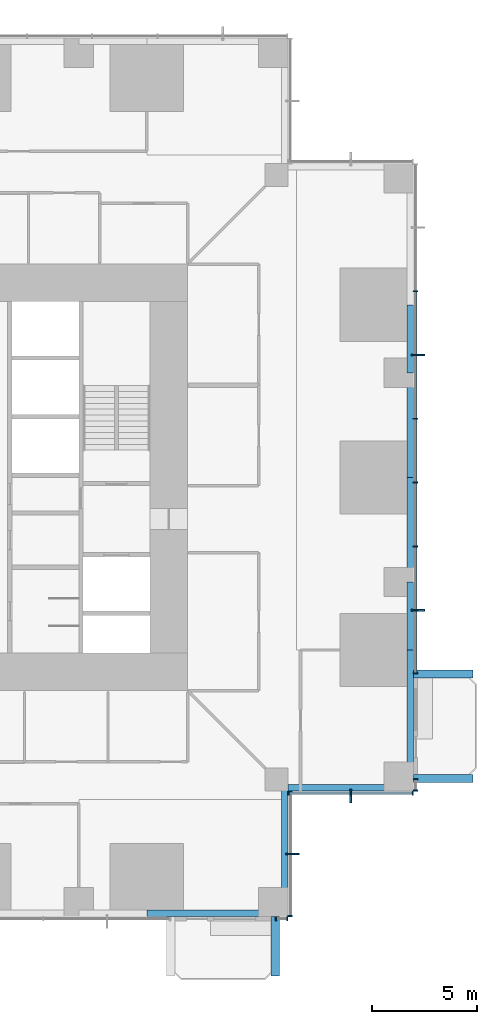
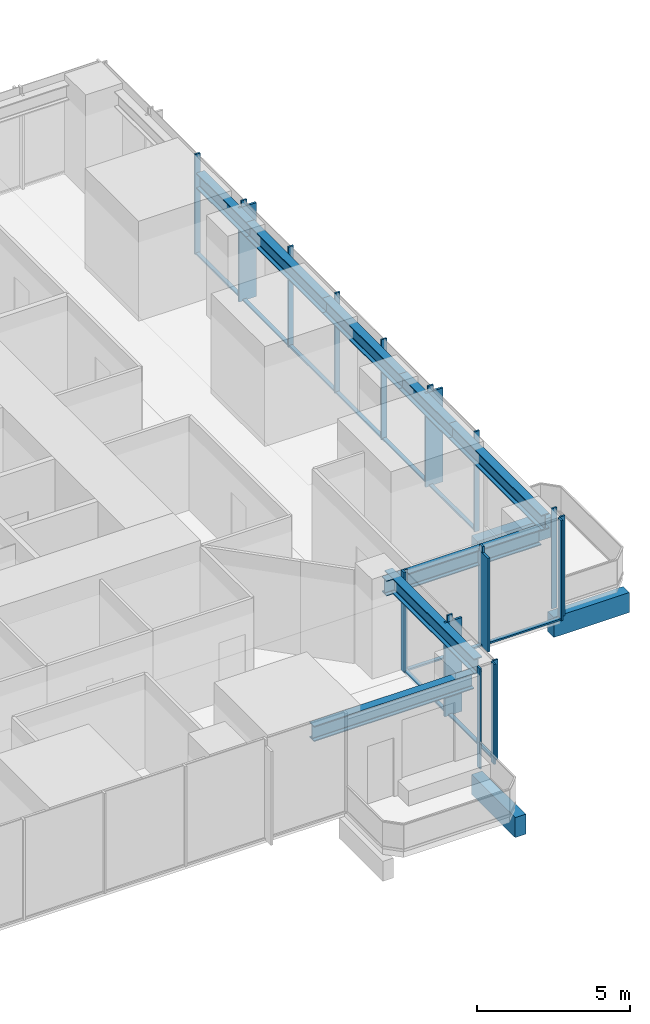
# One storey, part 4 of 15: 31 members, 11 beams, 5 elements without a shape of their own.
"""IFC4 building model written with IfcOpenShell, lengths in metres."""

from ifc_helpers import new_model, si_unit, direction, frame, origin, origin_2d, place, context, subcontext, project, spatial, rectangle, i_section, extrude, material, material_profile, profile_set, type_object, element, aggregate, save


model = new_model("IFC4")

# Units and contexts
model_context = context("Model", 3, precision=1e-05, world=origin(), true_north=direction((0.0, 1.0)))
body_context = subcontext(model_context, "Body", "Model", "MODEL_VIEW")
ifc_project = project(units=[si_unit("LENGTHUNIT", "METRE"), si_unit("AREAUNIT", "SQUARE_METRE"), si_unit("VOLUMEUNIT", "CUBIC_METRE"), si_unit("PLANEANGLEUNIT", "RADIAN"), si_unit("MASSUNIT", "GRAM", prefix="KILO")], contexts=[model_context])

# Site, building, storey
site_placement = place(None, origin())
site = spatial("IfcSite", under=ifc_project, at=site_placement, CompositionType="ELEMENT")
building_placement = place(site_placement, origin())
building = spatial("IfcBuilding", under=site, at=building_placement, Name="Svetlomir Tower", CompositionType="ELEMENT")
storey_placement = place(building_placement, frame((0.0, 0.0, 42.5)))
storey = spatial("IfcBuildingStorey", under=building, at=storey_placement, Name="L09", CompositionType="ELEMENT", Elevation=42.5)

# Beams
ifc_material_1 = material(Name="Concrete C60/75", Category="concrete")
ifc_material_profile_1 = material_profile(ifc_material_1, rectangle(XDim=0.39990234375, YDim=0.800048828125, at=origin_2d()), Name="RC 400x800")
ifc_profile_set_1 = profile_set([ifc_material_profile_1], Name="Concrete C60/75")
beam_type_1 = type_object("IfcBeamType", Name="BALCONY RIB RC 400x800", PredefinedType="BEAM", material=ifc_profile_set_1)
for number, where, z_axis, x_axis, name in (
    (1, (35.39990234375, 0.0, -0.64990234375), (0.0, -1.0, 0.0), (1.0, 0.0, 0.0), "Balcony rib S 2 L09"),
    (2, (42.0, 6.60009765625, -0.64990234375), (1.0, 0.0, 0.0), (0.0, 1.0, 0.0), "Balcony rib E 1 L09"),
    (3, (42.0, 11.60009765625, -0.64990234375), (1.0, 0.0, 0.0), (0.0, 1.0, 0.0), "Balcony rib E 2 L09"),
):
    element("IfcBeam", number, at=place(storey_placement, frame(where, z_axis=z_axis, x_axis=x_axis)), inside=storey, type_object=beam_type_1, Name=name, PredefinedType="BEAM", context=body_context, shape_type="SweptSolid", body=[
        extrude(rectangle(XDim=0.39990234375, YDim=0.800048828125, at=origin_2d()), origin(), (0.0, 0.0, 1.0), 2.85009765625),
    ])

# Curtain wall, member
ifc_material_2 = material(Name="Bronze anodised aluminium curtain wall", Category="aluminium")
curtain_wall_type = type_object("IfcCurtainWallType", Name="CURTAIN WALL CW1 TOWER OFFICE", PredefinedType="NOTDEFINED", material=ifc_material_2)
curtain_wall_1_placement = place(storey_placement, origin())
curtain_wall_1 = element("IfcCurtainWall", 4, at=curtain_wall_1_placement, inside=storey, type_object=curtain_wall_type, Name="Curtain wall CW1 L09", PredefinedType="NOTDEFINED")
ifc_material_3 = material(Name="Bronze anodised aluminium", Category="aluminium")
ifc_material_profile_2 = material_profile(ifc_material_3, rectangle(XDim=0.080078125, YDim=0.64990234375, at=origin_2d()), Name="FIN 80x650")
ifc_profile_set_2 = profile_set([ifc_material_profile_2], Name="Bronze anodised aluminium 6063-T6")
member_type_1 = type_object("IfcMemberType", Name="BRONZE FIN 80x650", PredefinedType="USERDEFINED", material=ifc_profile_set_2)
member_1_placement = place(storey_placement, frame((36.22509765625, 3.0, 0.0), z_axis=(0.0, 0.0, 1.0), x_axis=(0.0, 1.0, 0.0)))
member_1 = element("IfcMember", 5, at=member_1_placement, type_object=member_type_1, Name="Bronze fin L09", ObjectType="FIN", PredefinedType="USERDEFINED", context=body_context, shape_type="SweptSolid", body=[
    extrude(rectangle(XDim=0.080078125, YDim=0.64990234375, at=origin_2d()), origin(), (0.0, 0.0, 1.0), 3.75),
])

curtain_wall_2_placement = place(storey_placement, origin())
curtain_wall_2 = element("IfcCurtainWall", 6, at=curtain_wall_2_placement, inside=storey, type_object=curtain_wall_type, Name="Curtain wall CW1 L09", PredefinedType="NOTDEFINED")
member_2_placement = place(storey_placement, frame((39.0, 5.77490234375, 0.0), z_axis=(0.0, 0.0, 1.0), x_axis=(1.0, 0.0, 0.0)))
member_2 = element("IfcMember", 7, at=member_2_placement, type_object=member_type_1, Name="Bronze fin L09", ObjectType="FIN", PredefinedType="USERDEFINED", context=body_context, shape_type="SweptSolid", body=[
    extrude(rectangle(XDim=0.080078125, YDim=0.64990234375, at=origin_2d()), origin(), (0.0, 0.0, 1.0), 3.75),
])

# Curtain wall, members
curtain_wall_3_placement = place(storey_placement, origin())
curtain_wall_3 = element("IfcCurtainWall", 8, at=curtain_wall_3_placement, inside=storey, type_object=curtain_wall_type, Name="Curtain wall CW1 L09", PredefinedType="NOTDEFINED")
member_3_placement = place(storey_placement, frame((42.22509765625, 14.64990234375, 0.0), z_axis=(0.0, 0.0, 1.0), x_axis=(0.0, 1.0, 0.0)))
member_3 = element("IfcMember", 9, at=member_3_placement, type_object=member_type_1, Name="Bronze fin L09", ObjectType="FIN", PredefinedType="USERDEFINED", context=body_context, shape_type="SweptSolid", body=[
    extrude(rectangle(XDim=0.080078125, YDim=0.64990234375, at=origin_2d()), origin(), (0.0, 0.0, 1.0), 3.75),
])
member_4_placement = place(storey_placement, frame((42.22509765625, 26.85009765625, 0.0), z_axis=(0.0, 0.0, 1.0), x_axis=(0.0, 1.0, 0.0)))
member_4 = element("IfcMember", 10, at=member_4_placement, type_object=member_type_1, Name="Bronze fin L09", ObjectType="FIN", PredefinedType="USERDEFINED", context=body_context, shape_type="SweptSolid", body=[
    extrude(rectangle(XDim=0.080078125, YDim=0.64990234375, at=origin_2d()), origin(), (0.0, 0.0, 1.0), 3.75),
])

curtain_wall_4_placement = place(storey_placement, origin())
curtain_wall_4 = element("IfcCurtainWall", 11, at=curtain_wall_4_placement, inside=storey, type_object=curtain_wall_type, Name="Curtain wall CW1 L09", PredefinedType="NOTDEFINED")
ifc_material_4 = material(Name="Bronze anodised aluminium", Category="aluminium")
ifc_material_profile_3 = material_profile(ifc_material_4, rectangle(XDim=0.06494140625, YDim=0.199951171875, at=origin_2d()), Name="AL 65x200")
ifc_profile_set_3 = profile_set([ifc_material_profile_3], Name="Bronze anodised aluminium 6063-T6")
member_type_2 = type_object("IfcMemberType", Name="CW1 MULLION 65x200", PredefinedType="MULLION", material=ifc_profile_set_3)
member_5_placement = place(storey_placement, frame((35.4326171875, -0.10009765625, 0.0), z_axis=(0.0, 0.0, 1.0), x_axis=(1.0, 0.0, 0.0)))
member_5 = element("IfcMember", 12, at=member_5_placement, type_object=member_type_2, Name="CW1 mullion 1", PredefinedType="MULLION", context=body_context, shape_type="SweptSolid", body=[
    extrude(rectangle(XDim=0.06494140625, YDim=0.199951171875, at=origin_2d()), origin(), (0.0, 0.0, 1.0), 4.0),
])
member_6_placement = place(storey_placement, frame((35.967529296875, -0.10009765625, 0.0), z_axis=(0.0, 0.0, 1.0), x_axis=(1.0, 0.0, 0.0)))
member_6 = element("IfcMember", 13, at=member_6_placement, type_object=member_type_2, Name="CW1 mullion 2", PredefinedType="MULLION", context=body_context, shape_type="SweptSolid", body=[
    extrude(rectangle(XDim=0.06494140625, YDim=0.199951171875, at=origin_2d()), origin(), (0.0, 0.0, 1.0), 4.0),
])
aggregate(curtain_wall_4, [member_5, member_6])

# Member
member_7_placement = place(storey_placement, frame((36.10009765625, 0.032470703125, 0.0), z_axis=(0.0, 0.0, 1.0), x_axis=(0.0, 1.0, 0.0)))
member_7 = element("IfcMember", 14, at=member_7_placement, type_object=member_type_2, Name="CW1 mullion 1", PredefinedType="MULLION", context=body_context, shape_type="SweptSolid", body=[
    extrude(rectangle(XDim=0.06494140625, YDim=0.199951171875, at=origin_2d()), origin(), (0.0, 0.0, 1.0), 4.0),
])

member_8_placement = place(storey_placement, frame((36.10009765625, 3.0, 0.0), z_axis=(0.0, 0.0, 1.0), x_axis=(0.0, 1.0, 0.0)))
member_8 = element("IfcMember", 15, at=member_8_placement, type_object=member_type_2, Name="CW1 mullion 2", PredefinedType="MULLION", context=body_context, shape_type="SweptSolid", body=[
    extrude(rectangle(XDim=0.06494140625, YDim=0.199951171875, at=origin_2d()), origin(), (0.0, 0.0, 1.0), 4.0),
])

member_9_placement = place(storey_placement, frame((36.10009765625, 5.967529296875, 0.0), z_axis=(0.0, 0.0, 1.0), x_axis=(0.0, 1.0, 0.0)))
member_9 = element("IfcMember", 16, at=member_9_placement, type_object=member_type_2, Name="CW1 mullion 3", PredefinedType="MULLION", context=body_context, shape_type="SweptSolid", body=[
    extrude(rectangle(XDim=0.06494140625, YDim=0.199951171875, at=origin_2d()), origin(), (0.0, 0.0, 1.0), 4.0),
])

member_10_placement = place(storey_placement, frame((36.032470703125, 5.89990234375, 0.0), z_axis=(0.0, 0.0, 1.0), x_axis=(1.0, 0.0, 0.0)))
member_10 = element("IfcMember", 17, at=member_10_placement, type_object=member_type_2, Name="CW1 mullion 1", PredefinedType="MULLION", context=body_context, shape_type="SweptSolid", body=[
    extrude(rectangle(XDim=0.06494140625, YDim=0.199951171875, at=origin_2d()), origin(), (0.0, 0.0, 1.0), 4.0),
])

member_11_placement = place(storey_placement, frame((39.0, 5.89990234375, 0.0), z_axis=(0.0, 0.0, 1.0), x_axis=(1.0, 0.0, 0.0)))
member_11 = element("IfcMember", 18, at=member_11_placement, type_object=member_type_2, Name="CW1 mullion 2", PredefinedType="MULLION", context=body_context, shape_type="SweptSolid", body=[
    extrude(rectangle(XDim=0.06494140625, YDim=0.199951171875, at=origin_2d()), origin(), (0.0, 0.0, 1.0), 4.0),
])

member_12_placement = place(storey_placement, frame((41.967529296875, 5.89990234375, 0.0), z_axis=(0.0, 0.0, 1.0), x_axis=(1.0, 0.0, 0.0)))
member_12 = element("IfcMember", 19, at=member_12_placement, type_object=member_type_2, Name="CW1 mullion 3", PredefinedType="MULLION", context=body_context, shape_type="SweptSolid", body=[
    extrude(rectangle(XDim=0.06494140625, YDim=0.199951171875, at=origin_2d()), origin(), (0.0, 0.0, 1.0), 4.0),
])

# Curtain wall, members
curtain_wall_5_placement = place(storey_placement, origin())
curtain_wall_5 = element("IfcCurtainWall", 20, at=curtain_wall_5_placement, inside=storey, type_object=curtain_wall_type, Name="Curtain wall CW1 L09", PredefinedType="NOTDEFINED")
member_13_placement = place(storey_placement, frame((42.10009765625, 6.032470703125, 0.0), z_axis=(0.0, 0.0, 1.0), x_axis=(0.0, 1.0, 0.0)))
member_13 = element("IfcMember", 21, at=member_13_placement, type_object=member_type_2, Name="CW1 mullion 1", PredefinedType="MULLION", context=body_context, shape_type="SweptSolid", body=[
    extrude(rectangle(XDim=0.06494140625, YDim=0.199951171875, at=origin_2d()), origin(), (0.0, 0.0, 1.0), 4.0),
])
member_14_placement = place(storey_placement, frame((42.10009765625, 6.5673828125, 0.0), z_axis=(0.0, 0.0, 1.0), x_axis=(0.0, 1.0, 0.0)))
member_14 = element("IfcMember", 22, at=member_14_placement, type_object=member_type_2, Name="CW1 mullion 2", PredefinedType="MULLION", context=body_context, shape_type="SweptSolid", body=[
    extrude(rectangle(XDim=0.06494140625, YDim=0.199951171875, at=origin_2d()), origin(), (0.0, 0.0, 1.0), 4.0),
])
aggregate(curtain_wall_5, [member_13, member_14])

# Member
member_15_placement = place(storey_placement, frame((42.10009765625, 11.632568359375, 0.0), z_axis=(0.0, 0.0, 1.0), x_axis=(0.0, 1.0, 0.0)))
member_15 = element("IfcMember", 23, at=member_15_placement, type_object=member_type_2, Name="CW1 mullion 1", PredefinedType="MULLION", context=body_context, shape_type="SweptSolid", body=[
    extrude(rectangle(XDim=0.06494140625, YDim=0.199951171875, at=origin_2d()), origin(), (0.0, 0.0, 1.0), 4.0),
])

member_16_placement = place(storey_placement, frame((42.10009765625, 14.64990234375, 0.0), z_axis=(0.0, 0.0, 1.0), x_axis=(0.0, 1.0, 0.0)))
member_16 = element("IfcMember", 24, at=member_16_placement, type_object=member_type_2, Name="CW1 mullion 2", PredefinedType="MULLION", context=body_context, shape_type="SweptSolid", body=[
    extrude(rectangle(XDim=0.06494140625, YDim=0.199951171875, at=origin_2d()), origin(), (0.0, 0.0, 1.0), 4.0),
])

member_17_placement = place(storey_placement, frame((42.10009765625, 17.699951171875, 0.0), z_axis=(0.0, 0.0, 1.0), x_axis=(0.0, 1.0, 0.0)))
member_17 = element("IfcMember", 25, at=member_17_placement, type_object=member_type_2, Name="CW1 mullion 3", PredefinedType="MULLION", context=body_context, shape_type="SweptSolid", body=[
    extrude(rectangle(XDim=0.06494140625, YDim=0.199951171875, at=origin_2d()), origin(), (0.0, 0.0, 1.0), 4.0),
])

member_18_placement = place(storey_placement, frame((42.10009765625, 20.75, 0.0), z_axis=(0.0, 0.0, 1.0), x_axis=(0.0, 1.0, 0.0)))
member_18 = element("IfcMember", 26, at=member_18_placement, type_object=member_type_2, Name="CW1 mullion 4", PredefinedType="MULLION", context=body_context, shape_type="SweptSolid", body=[
    extrude(rectangle(XDim=0.06494140625, YDim=0.199951171875, at=origin_2d()), origin(), (0.0, 0.0, 1.0), 4.0),
])

member_19_placement = place(storey_placement, frame((42.10009765625, 23.800048828125, 0.0), z_axis=(0.0, 0.0, 1.0), x_axis=(0.0, 1.0, 0.0)))
member_19 = element("IfcMember", 27, at=member_19_placement, type_object=member_type_2, Name="CW1 mullion 5", PredefinedType="MULLION", context=body_context, shape_type="SweptSolid", body=[
    extrude(rectangle(XDim=0.06494140625, YDim=0.199951171875, at=origin_2d()), origin(), (0.0, 0.0, 1.0), 4.0),
])

member_20_placement = place(storey_placement, frame((42.10009765625, 26.85009765625, 0.0), z_axis=(0.0, 0.0, 1.0), x_axis=(0.0, 1.0, 0.0)))
member_20 = element("IfcMember", 28, at=member_20_placement, type_object=member_type_2, Name="CW1 mullion 6", PredefinedType="MULLION", context=body_context, shape_type="SweptSolid", body=[
    extrude(rectangle(XDim=0.06494140625, YDim=0.199951171875, at=origin_2d()), origin(), (0.0, 0.0, 1.0), 4.0),
])

member_21_placement = place(storey_placement, frame((42.10009765625, 29.89990234375, 0.0), z_axis=(0.0, 0.0, 1.0), x_axis=(0.0, 1.0, 0.0)))
member_21 = element("IfcMember", 29, at=member_21_placement, type_object=member_type_2, Name="CW1 mullion 7", PredefinedType="MULLION", context=body_context, shape_type="SweptSolid", body=[
    extrude(rectangle(XDim=0.06494140625, YDim=0.199951171875, at=origin_2d()), origin(), (0.0, 0.0, 1.0), 4.0),
])

ifc_material_5 = material(Name="Bronze anodised aluminium", Category="aluminium")
ifc_material_profile_4 = material_profile(ifc_material_5, rectangle(XDim=0.139892578125, YDim=0.06494140625, at=origin_2d()), Name="AL 140x65")
ifc_profile_set_4 = profile_set([ifc_material_profile_4], Name="Bronze anodised aluminium 6063-T6")
member_type_3 = type_object("IfcMemberType", Name="CW1 TRANSOM 65x140", PredefinedType="USERDEFINED", material=ifc_profile_set_4)
member_22_placement = place(storey_placement, frame((36.10009765625, 0.06494140625, 0.032470703125), z_axis=(0.0, 1.0, 0.0), x_axis=(-1.0, 0.0, 0.0)))
member_22 = element("IfcMember", 30, at=member_22_placement, type_object=member_type_3, Name="CW1 transom 1.1", ObjectType="TRANSOM", PredefinedType="USERDEFINED", context=body_context, shape_type="SweptSolid", body=[
    extrude(rectangle(XDim=0.139892578125, YDim=0.06494140625, at=origin_2d()), origin(), (0.0, 0.0, 1.0), 2.902587890625),
])

member_23_placement = place(storey_placement, frame((36.10009765625, 3.032470703125, 0.032470703125), z_axis=(0.0, 1.0, 0.0), x_axis=(-1.0, 0.0, 0.0)))
member_23 = element("IfcMember", 31, at=member_23_placement, type_object=member_type_3, Name="CW1 transom 2.1", ObjectType="TRANSOM", PredefinedType="USERDEFINED", context=body_context, shape_type="SweptSolid", body=[
    extrude(rectangle(XDim=0.139892578125, YDim=0.06494140625, at=origin_2d()), origin(), (0.0, 0.0, 1.0), 2.902587890625),
])

aggregate(curtain_wall_1, [member_7, member_8, member_9, member_22, member_23, member_1])

member_24_placement = place(storey_placement, frame((36.06494140625, 5.89990234375, 0.032470703125), z_axis=(1.0, 0.0, 0.0), x_axis=(0.0, 1.0, 0.0)))
member_24 = element("IfcMember", 32, at=member_24_placement, type_object=member_type_3, Name="CW1 transom 1.1", ObjectType="TRANSOM", PredefinedType="USERDEFINED", context=body_context, shape_type="SweptSolid", body=[
    extrude(rectangle(XDim=0.139892578125, YDim=0.06494140625, at=origin_2d()), origin(), (0.0, 0.0, 1.0), 2.902587890625),
])

member_25_placement = place(storey_placement, frame((39.032470703125, 5.89990234375, 0.032470703125), z_axis=(1.0, 0.0, 0.0), x_axis=(0.0, 1.0, 0.0)))
member_25 = element("IfcMember", 33, at=member_25_placement, type_object=member_type_3, Name="CW1 transom 2.1", ObjectType="TRANSOM", PredefinedType="USERDEFINED", context=body_context, shape_type="SweptSolid", body=[
    extrude(rectangle(XDim=0.139892578125, YDim=0.06494140625, at=origin_2d()), origin(), (0.0, 0.0, 1.0), 2.902587890625),
])

aggregate(curtain_wall_2, [member_10, member_11, member_12, member_24, member_25, member_2])

member_26_placement = place(storey_placement, frame((42.10009765625, 11.6650390625, 0.032470703125), z_axis=(0.0, 1.0, 0.0), x_axis=(-1.0, 0.0, 0.0)))
member_26 = element("IfcMember", 34, at=member_26_placement, type_object=member_type_3, Name="CW1 transom 1.1", ObjectType="TRANSOM", PredefinedType="USERDEFINED", context=body_context, shape_type="SweptSolid", body=[
    extrude(rectangle(XDim=0.139892578125, YDim=0.06494140625, at=origin_2d()), origin(), (0.0, 0.0, 1.0), 2.952392578125),
])

member_27_placement = place(storey_placement, frame((42.10009765625, 14.6826171875, 0.032470703125), z_axis=(0.0, 1.0, 0.0), x_axis=(-1.0, 0.0, 0.0)))
member_27 = element("IfcMember", 35, at=member_27_placement, type_object=member_type_3, Name="CW1 transom 2.1", ObjectType="TRANSOM", PredefinedType="USERDEFINED", context=body_context, shape_type="SweptSolid", body=[
    extrude(rectangle(XDim=0.139892578125, YDim=0.06494140625, at=origin_2d()), origin(), (0.0, 0.0, 1.0), 2.98486328125),
])

member_28_placement = place(storey_placement, frame((42.10009765625, 17.732421875, 0.032470703125), z_axis=(0.0, 1.0, 0.0), x_axis=(-1.0, 0.0, 0.0)))
member_28 = element("IfcMember", 36, at=member_28_placement, type_object=member_type_3, Name="CW1 transom 3.1", ObjectType="TRANSOM", PredefinedType="USERDEFINED", context=body_context, shape_type="SweptSolid", body=[
    extrude(rectangle(XDim=0.139892578125, YDim=0.06494140625, at=origin_2d()), origin(), (0.0, 0.0, 1.0), 2.985107421875),
])

member_29_placement = place(storey_placement, frame((42.10009765625, 20.782470703125, 0.032470703125), z_axis=(0.0, 1.0, 0.0), x_axis=(-1.0, 0.0, 0.0)))
member_29 = element("IfcMember", 37, at=member_29_placement, type_object=member_type_3, Name="CW1 transom 4.1", ObjectType="TRANSOM", PredefinedType="USERDEFINED", context=body_context, shape_type="SweptSolid", body=[
    extrude(rectangle(XDim=0.139892578125, YDim=0.06494140625, at=origin_2d()), origin(), (0.0, 0.0, 1.0), 2.985107421875),
])

member_30_placement = place(storey_placement, frame((42.10009765625, 23.83251953125, 0.032470703125), z_axis=(0.0, 1.0, 0.0), x_axis=(-1.0, 0.0, 0.0)))
member_30 = element("IfcMember", 38, at=member_30_placement, type_object=member_type_3, Name="CW1 transom 5.1", ObjectType="TRANSOM", PredefinedType="USERDEFINED", context=body_context, shape_type="SweptSolid", body=[
    extrude(rectangle(XDim=0.139892578125, YDim=0.06494140625, at=origin_2d()), origin(), (0.0, 0.0, 1.0), 2.98486328125),
])

member_31_placement = place(storey_placement, frame((42.10009765625, 26.882568359375, 0.032470703125), z_axis=(0.0, 1.0, 0.0), x_axis=(-1.0, 0.0, 0.0)))
member_31 = element("IfcMember", 39, at=member_31_placement, type_object=member_type_3, Name="CW1 transom 6.1", ObjectType="TRANSOM", PredefinedType="USERDEFINED", context=body_context, shape_type="SweptSolid", body=[
    extrude(rectangle(XDim=0.139892578125, YDim=0.06494140625, at=origin_2d()), origin(), (0.0, 0.0, 1.0), 2.98486328125),
])

aggregate(curtain_wall_3, [member_15, member_16, member_17, member_18, member_19, member_20, member_21, member_26, member_27, member_28, member_29, member_30, member_31, member_3, member_4])

# Beams
ifc_material_6 = material(Name="Steel S355", Category="steel")
ifc_material_profile_5 = material_profile(ifc_material_6, i_section(OverallWidth=0.304931640625, OverallDepth=0.6201171875, WebThickness=0.02099609375, FlangeThickness=0.0400390625, FilletRadius=0.027099609375, at=origin_2d()), Name="HEM 600")
ifc_profile_set_5 = profile_set([ifc_material_profile_5], Name="Steel S355")
beam_type_2 = type_object("IfcBeamType", Name="EDGE BEAM HEM 600", PredefinedType="SPANDREL", material=ifc_profile_set_5)
beam_1_placement = place(storey_placement, frame((41.847412109375, 6.699951171875, 3.43994140625), z_axis=(0.0, 1.0, 0.0), x_axis=(-1.0, 0.0, 0.0)))
element("IfcBeam", 40, at=beam_1_placement, inside=storey, type_object=beam_type_2, Name="Edge beam 42/6 to 42/11 under L10", PredefinedType="SPANDREL", context=body_context, shape_type="SweptSolid", body=[
    extrude(i_section(OverallWidth=0.304931640625, OverallDepth=0.6201171875, WebThickness=0.02099609375, FlangeThickness=0.0400390625, FilletRadius=0.027099609375, at=origin_2d()), origin(), (0.0, 0.0, 1.0), 6.050048828125),
])
beam_2_placement = place(storey_placement, frame((41.847412109375, 12.75, 3.43994140625), z_axis=(0.0, 1.0, 0.0), x_axis=(-1.0, 0.0, 0.0)))
element("IfcBeam", 41, at=beam_2_placement, inside=storey, type_object=beam_type_2, Name="Edge beam 42/11 to 42/16 under L10", PredefinedType="SPANDREL", context=body_context, shape_type="SweptSolid", body=[
    extrude(i_section(OverallWidth=0.304931640625, OverallDepth=0.6201171875, WebThickness=0.02099609375, FlangeThickness=0.0400390625, FilletRadius=0.027099609375, at=origin_2d()), origin(), (0.0, 0.0, 1.0), 3.25),
])
for number, where, z_axis, x_axis, name in (
    (42, (41.847412109375, 16.0, 3.43994140625), (0.0, 1.0, 0.0), (-1.0, 0.0, 0.0), "Edge beam 42/16 to 42/21 under L10"),
    (43, (41.847412109375, 21.0, 3.43994140625), (0.0, 1.0, 0.0), (-1.0, 0.0, 0.0), "Edge beam 42/21 to 42/26 under L10"),
):
    element("IfcBeam", number, at=place(storey_placement, frame(where, z_axis=z_axis, x_axis=x_axis)), inside=storey, type_object=beam_type_2, Name=name, PredefinedType="SPANDREL", context=body_context, shape_type="SweptSolid", body=[
        extrude(i_section(OverallWidth=0.304931640625, OverallDepth=0.6201171875, WebThickness=0.02099609375, FlangeThickness=0.0400390625, FilletRadius=0.027099609375, at=origin_2d()), origin(), (0.0, 0.0, 1.0), 5.0),
    ])
beam_3_placement = place(storey_placement, frame((41.847412109375, 26.0, 3.43994140625), z_axis=(0.0, 1.0, 0.0), x_axis=(-1.0, 0.0, 0.0)))
element("IfcBeam", 44, at=beam_3_placement, inside=storey, type_object=beam_type_2, Name="Edge beam 42/26 to 42/31 under L10", PredefinedType="SPANDREL", context=body_context, shape_type="SweptSolid", body=[
    extrude(i_section(OverallWidth=0.304931640625, OverallDepth=0.6201171875, WebThickness=0.02099609375, FlangeThickness=0.0400390625, FilletRadius=0.027099609375, at=origin_2d()), origin(), (0.0, 0.0, 1.0), 3.25),
])
beam_4_placement = place(storey_placement, frame((29.25, 0.152587890625, 3.43994140625), z_axis=(1.0, 0.0, 0.0), x_axis=(0.0, 1.0, 0.0)))
element("IfcBeam", 45, at=beam_4_placement, inside=storey, type_object=beam_type_2, Name="Edge beam 31/0 to 36/0 under L10", PredefinedType="SPANDREL", context=body_context, shape_type="SweptSolid", body=[
    extrude(i_section(OverallWidth=0.304931640625, OverallDepth=0.6201171875, WebThickness=0.02099609375, FlangeThickness=0.0400390625, FilletRadius=0.027099609375, at=origin_2d()), origin(), (0.0, 0.0, 1.0), 6.050048828125),
])
for number, where, z_axis, x_axis, name in (
    (46, (35.847412109375, 0.699951171875, 3.43994140625), (0.0, 1.0, 0.0), (-1.0, 0.0, 0.0), "Edge beam 36/0 to 36/6 under L10"),
    (47, (41.300048828125, 6.152587890625, 3.43994140625), (-1.0, 0.0, 0.0), (0.0, -1.0, 0.0), "Edge beam 42/6 to 36/6 under L10"),
):
    element("IfcBeam", number, at=place(storey_placement, frame(where, z_axis=z_axis, x_axis=x_axis)), inside=storey, type_object=beam_type_2, Name=name, PredefinedType="SPANDREL", context=body_context, shape_type="SweptSolid", body=[
        extrude(i_section(OverallWidth=0.304931640625, OverallDepth=0.6201171875, WebThickness=0.02099609375, FlangeThickness=0.0400390625, FilletRadius=0.027099609375, at=origin_2d()), origin(), (0.0, 0.0, 1.0), 5.85009765625),
    ])

save(model, "model.ifc")
